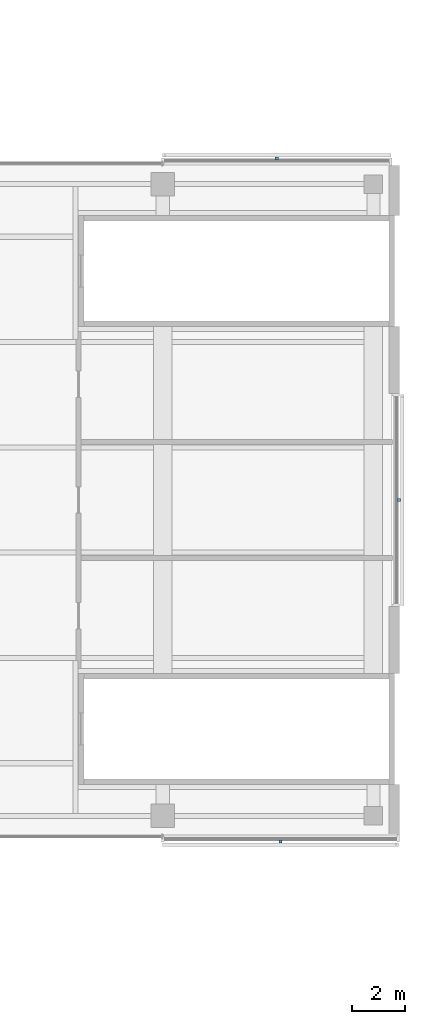
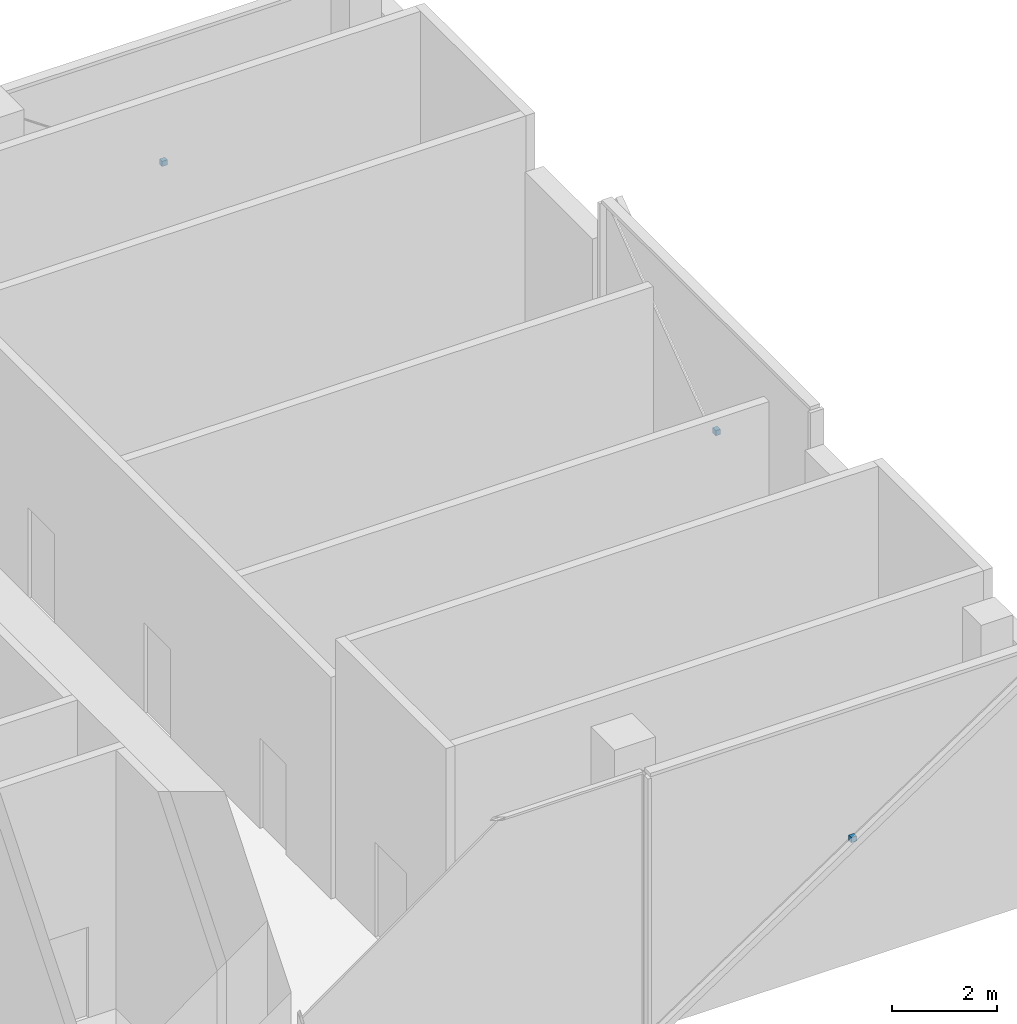
# One storey, part 21 of 23: 3 discrete accessories.
"""IFC4 building model written with IfcOpenShell, lengths in metres."""

from ifc_helpers import new_model, si_unit, direction, frame, origin, origin_2d, place, context, subcontext, project, spatial, rectangle, extrude, material, type_object, element, save


model = new_model("IFC4")

# Units and contexts
model_context = context("Model", 3, precision=1e-05, world=origin(), true_north=direction((0.0, 1.0)))
body_context = subcontext(model_context, "Body", "Model", "MODEL_VIEW")
ifc_project = project(units=[si_unit("LENGTHUNIT", "METRE"), si_unit("AREAUNIT", "SQUARE_METRE"), si_unit("VOLUMEUNIT", "CUBIC_METRE"), si_unit("PLANEANGLEUNIT", "RADIAN"), si_unit("MASSUNIT", "GRAM", prefix="KILO")], contexts=[model_context])

# Site, building, storey
site_placement = place(None, origin())
site = spatial("IfcSite", under=ifc_project, at=site_placement, CompositionType="ELEMENT")
building_placement = place(site_placement, origin())
building = spatial("IfcBuilding", under=site, at=building_placement, Name="Crosswind Convention Tower", CompositionType="ELEMENT")
storey_placement = place(building_placement, frame((0.0, 0.0, 41.5)))
storey = spatial("IfcBuildingStorey", under=building, at=storey_placement, Name="L05", CompositionType="ELEMENT", Elevation=41.5)

# Discrete accessories
ifc_material = material(Name="Stainless steel", Category="steel")
discrete_accessory_type = type_object("IfcDiscreteAccessoryType", Name="BAGUETTE BRACKET BK1", PredefinedType="BRACKET", material=ifc_material)
for number, where, z_axis, x_axis, name in (
    (1, (169.97412109375, 100.0, 2.5), (0.0, 0.0, 1.0), (0.0, 1.0, 0.0), "BK1 baguette bracket"),
    (2, (165.330078125, 112.97412109375, 2.5), (0.0, 0.0, 1.0), (-1.0, 0.0, 0.0), "BK1 baguette bracket"),
    (3, (165.472412109375, 87.02587890625, 2.5), (0.0, 0.0, 1.0), (1.0, 0.0, 0.0), "BK1 baguette bracket"),
):
    element("IfcDiscreteAccessory", number, at=place(storey_placement, frame(where, z_axis=z_axis, x_axis=x_axis)), inside=storey, type_object=discrete_accessory_type, Name=name, PredefinedType="BRACKET", context=body_context, shape_type="SweptSolid", body=[
        extrude(rectangle(XDim=0.1201171875, YDim=0.10009765625, at=origin_2d()), origin(), (0.0, 0.0, 1.0), 0.1201171875),
    ])

save(model, "model.ifc")
